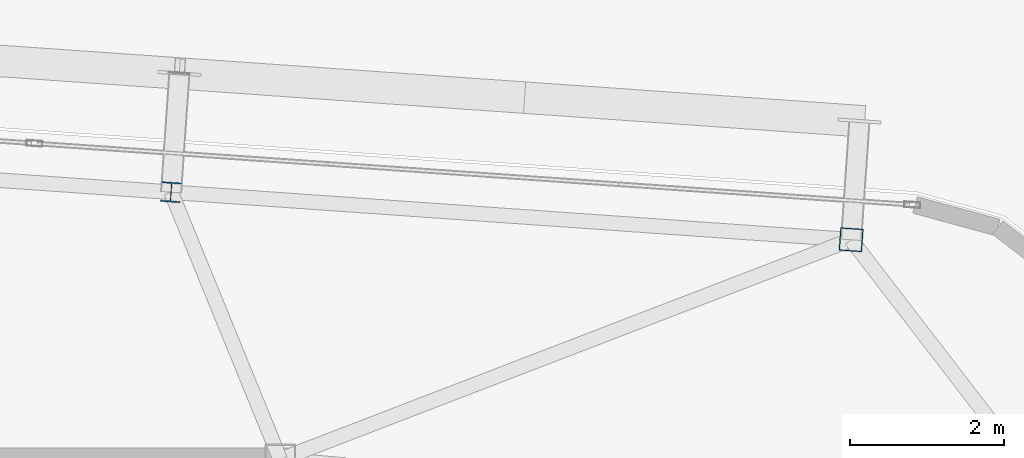
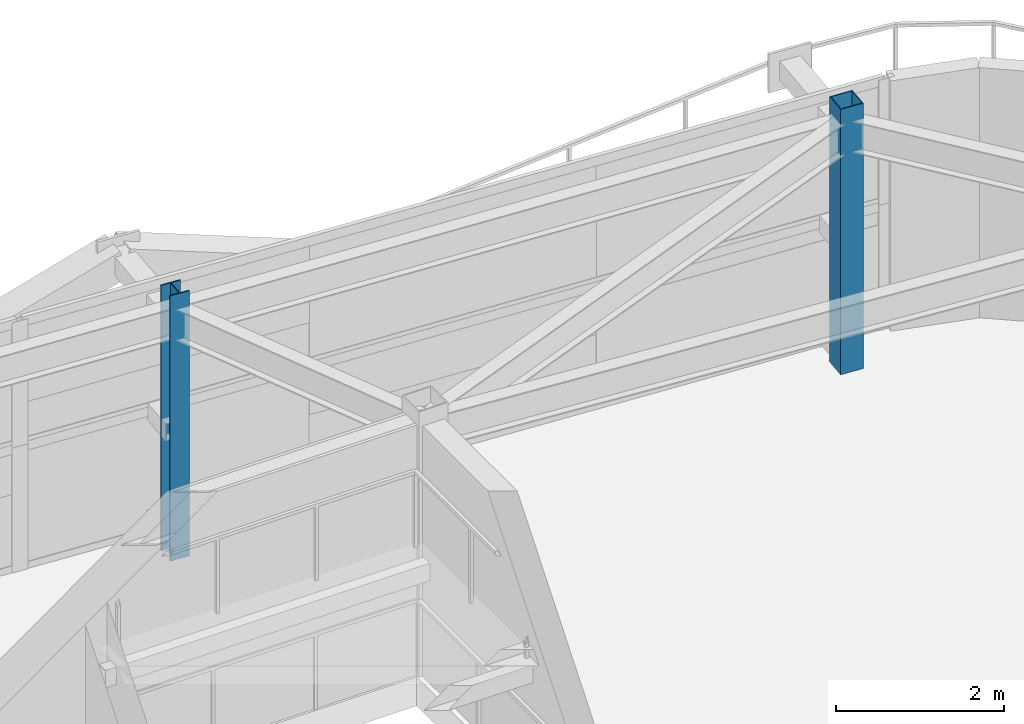
# One storey, part 5 of 36: 2 columns.
"""IFC4 building model written with IfcOpenShell, lengths in metres."""

from ifc_helpers import new_model, si_unit, direction, frame, origin, origin_2d, place, context, subcontext, project, spatial, hollow_rectangle, i_section, extrude, source, transform, mapped, material, material_profile, profile_set, type_object, element, save


model = new_model("IFC4")

# Units and contexts
model_context = context("Model", 3, precision=1e-05, world=origin(), true_north=direction((0.0, 1.0)))
body_context = subcontext(model_context, "Body", "Model", "MODEL_VIEW")
ifc_project = project(units=[si_unit("LENGTHUNIT", "METRE"), si_unit("AREAUNIT", "SQUARE_METRE"), si_unit("VOLUMEUNIT", "CUBIC_METRE"), si_unit("PLANEANGLEUNIT", "RADIAN"), si_unit("MASSUNIT", "GRAM", prefix="KILO")], contexts=[model_context])

# Site, building, storey
site_placement = place(None, origin())
site = spatial("IfcSite", under=ifc_project, at=site_placement, CompositionType="ELEMENT")
building_placement = place(site_placement, origin())
building = spatial("IfcBuilding", under=site, at=building_placement, Name="Taldren Reach Tower", CompositionType="ELEMENT")
storey_placement = place(building_placement, frame((0.0, 0.0, 116.550048828125)))
storey = spatial("IfcBuildingStorey", under=building, at=storey_placement, Name="L35", CompositionType="ELEMENT", Elevation=116.550048828125)

# Columns
ifc_material_1 = material(Name="Steel Gr 450 (C450L0)", Category="steel")
ifc_material_profile_1 = material_profile(ifc_material_1, hollow_rectangle(XDim=0.300048828125, YDim=0.300048828125, WallThickness=0.012451171875, at=origin_2d()), Name="300x300x12.5SHS")
ifc_profile_set_1 = profile_set([ifc_material_profile_1], Name="Steel Gr 450 (C450L0)")
column_type_1 = type_object("IfcColumnType", Name="COL-SHS300", PredefinedType="COLUMN", material=ifc_profile_set_1)
shared_shape_1 = source(origin(), body_context, "Body", "SweptSolid", [
    extrude(hollow_rectangle(XDim=0.300048828125, YDim=0.300048828125, WallThickness=0.012451171875, at=origin_2d()), origin(), (0.0, 0.0, 1.0), 3.849853515625),
])
column_1_placement = place(storey_placement, frame((58.4365234375, 34.861572265625, 0.0), z_axis=(0.0, 0.0, 1.0), x_axis=(0.99756405026, -0.069756473744, 0.0)))
element("IfcColumn", 1, at=column_1_placement, inside=storey, type_object=column_type_1, Name="Block B3 perimeter column N6 L35", PredefinedType="COLUMN", context=body_context, shape_type="MappedRepresentation", body=[
    mapped(shared_shape_1, transform((0.0, 0.0, 0.0), scale=1.0)),
])
ifc_material_2 = material(Name="Steel Gr 350 (350PLUS)", Category="steel")
ifc_material_profile_2 = material_profile(ifc_material_2, i_section(OverallWidth=0.256103515625, OverallDepth=0.260009765625, WebThickness=0.010498046875, FlangeThickness=0.017333984375, at=origin_2d()), Name="250UC89.5")
ifc_profile_set_2 = profile_set([ifc_material_profile_2], Name="Steel Gr 350 (350PLUS)")
column_type_2 = type_object("IfcColumnType", Name="COL-UC250", PredefinedType="COLUMN", material=ifc_profile_set_2)
shared_shape_2 = source(origin(), body_context, "Body", "SweptSolid", [
    extrude(i_section(OverallWidth=0.256103515625, OverallDepth=0.260009765625, WebThickness=0.010498046875, FlangeThickness=0.017333984375, at=origin_2d()), origin(), (0.0, 0.0, 1.0), 3.849853515625),
])
column_2_placement = place(storey_placement, frame((49.578125, 35.48095703125, 0.0), z_axis=(0.0, 0.0, 1.0), x_axis=(0.99756405026, -0.069756473744, 0.0)))
element("IfcColumn", 2, at=column_2_placement, inside=storey, type_object=column_type_2, Name="Block B3 perimeter column N5 L35", PredefinedType="COLUMN", context=body_context, shape_type="MappedRepresentation", body=[
    mapped(shared_shape_2, transform((0.0, 0.0, 0.0), scale=1.0)),
])

save(model, "model.ifc")
